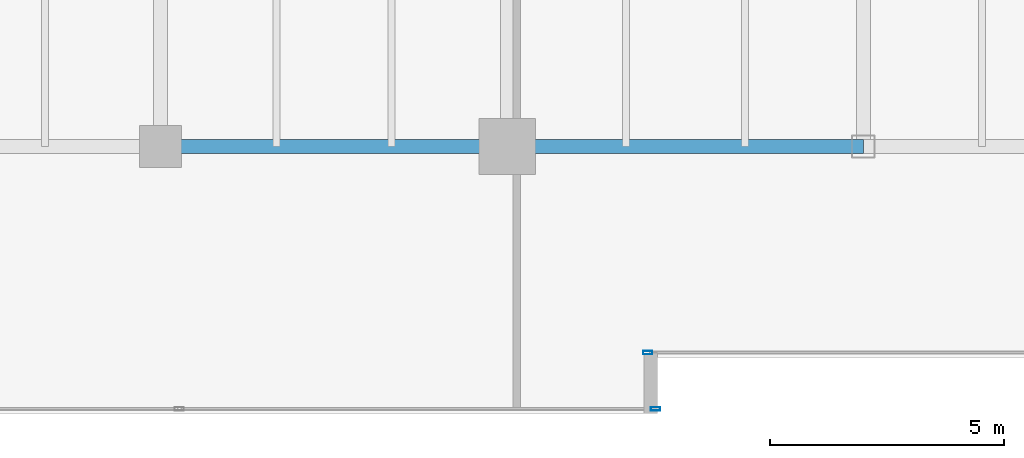
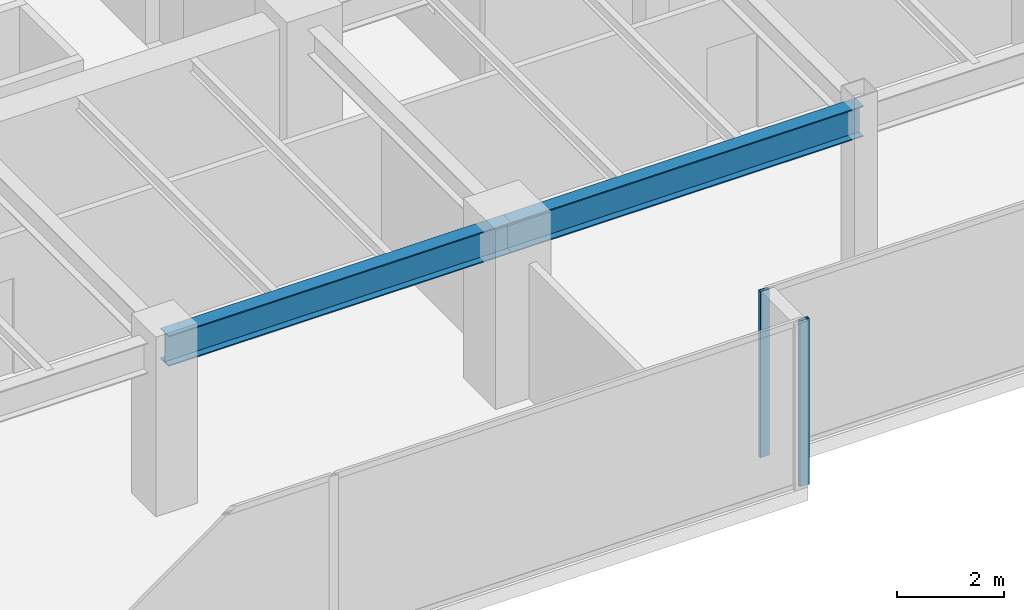
# One storey, part 4 of 31: 2 beams, 2 members, 2 elements without a shape of their own.
"""IFC4 building model written with IfcOpenShell, lengths in metres."""

import ifcopenshell
import ifcopenshell.guid

model = None  # the IFC model being written
_history = None  # IfcOwnerHistory: only IFC2X3 demands one
_inside = {}  # id of a spatial element -> (the spatial element, [elements in it])
_under = {}  # id of a project, library or spatial element -> (it, [spatial elements below it])
_declared = {}  # id of a project -> (the project, [libraries it declares])
_typed = {}  # id of a type object -> (the type object, [elements of that type])
_made_of = {}  # id of a material, layer set ... -> (it, [elements and type objects made of it])


def new_model(schema):
    """Start an empty IFC model of exactly this schema.

    Asked for "IFC4X3", IfcOpenShell would pick the latest addendum, in which some entities
    have other attributes; the version numbers below select the first issue.
    IFC2X3 requires an IfcOwnerHistory on every rooted entity: one is made here for all.
    """
    global model, _history
    if schema == "IFC4X3":
        model = ifcopenshell.file(schema_version=(4, 3, 0, 0))
    else:
        model = ifcopenshell.file(schema=schema)
    _inside.clear()
    _under.clear()
    _declared.clear()
    _typed.clear()
    _made_of.clear()
    _history = None
    if model.schema == "IFC2X3":
        org = make("IfcOrganization", Name="unknown")
        user = make(
            "IfcPersonAndOrganization",
            ThePerson=make("IfcPerson", FamilyName="unknown"),
            TheOrganization=org,
        )
        app = make(
            "IfcApplication",
            ApplicationDeveloper=org,
            Version="unknown",
            ApplicationFullName="unknown",
            ApplicationIdentifier="unknown",
        )
        _history = make(
            "IfcOwnerHistory",
            OwningUser=user,
            OwningApplication=app,
            ChangeAction="ADDED",
            CreationDate=0,
        )
    return model


def make(cls, **values):
    """One entity of the class cls with the attributes given. An attribute that is None is left unset."""
    return model.create_entity(
        cls, **{name: value for name, value in values.items() if value is not None}
    )


def rooted(cls, **values):
    """An entity with a GlobalId (a new one), such as an element, a storey or a relation."""
    return make(cls, GlobalId=ifcopenshell.guid.new(), OwnerHistory=_history, **values)


def si_unit(unit_type, name, prefix=None):
    """IfcSIUnit, for example si_unit("LENGTHUNIT", "METRE", prefix="MILLI")."""
    return make("IfcSIUnit", UnitType=unit_type, Prefix=prefix, Name=name)


def assignment(units):
    """IfcUnitAssignment: the units of a project."""
    return None if units is None else make("IfcUnitAssignment", Units=units)


def point(xyz):
    """IfcCartesianPoint."""
    return None if xyz is None else make("IfcCartesianPoint", Coordinates=xyz)


def direction(xyz):
    """IfcDirection."""
    return None if xyz is None else make("IfcDirection", DirectionRatios=xyz)


def frame(location, z_axis=None, x_axis=None):
    """IfcAxis2Placement3D, a coordinate frame: its origin and axes. An axis left out is left unset."""
    return make(
        "IfcAxis2Placement3D",
        Location=point(location),
        Axis=direction(z_axis),
        RefDirection=direction(x_axis),
    )


def frame_2d(location, x_axis=None):
    """IfcAxis2Placement2D, a coordinate frame in the plane: its origin and x axis."""
    return make(
        "IfcAxis2Placement2D", Location=point(location), RefDirection=direction(x_axis)
    )


def origin():
    """The frame at (0, 0, 0) with its axes left unset."""
    return frame((0.0, 0.0, 0.0))


def origin_2d():
    """The frame at (0, 0) in the plane with its x axis left unset."""
    return frame_2d((0.0, 0.0))


def place(relative_to, where):
    """IfcLocalPlacement: puts the frame where relative to a parent placement (None: the world)."""
    return make(
        "IfcLocalPlacement", PlacementRelTo=relative_to, RelativePlacement=where
    )


def context(
    kind, dimensions, precision=None, world=None, true_north=None, identifier=None
):
    """IfcGeometricRepresentationContext, for example the 3D "Model" context."""
    return make(
        "IfcGeometricRepresentationContext",
        ContextIdentifier=identifier,
        ContextType=kind,
        CoordinateSpaceDimension=dimensions,
        Precision=precision,
        WorldCoordinateSystem=world,
        TrueNorth=true_north,
    )


def subcontext(parent, identifier, kind, view, scale=None):
    """IfcGeometricRepresentationSubContext, for example "Body" below "Model"."""
    return make(
        "IfcGeometricRepresentationSubContext",
        ContextIdentifier=identifier,
        ContextType=kind,
        ParentContext=parent,
        TargetScale=scale,
        TargetView=view,
    )


def project(units=None, contexts=None):
    """IfcProject with its units and contexts."""
    return rooted(
        "IfcProject",
        Name="project",
        RepresentationContexts=contexts,
        UnitsInContext=assignment(units),
    )


def spatial(cls, under=None, at=None, **own):
    """A site, building, storey or space (cls), placed at a placement, below another one or the project."""
    s = rooted(cls, ObjectPlacement=at, **own)
    if under is not None:
        _under.setdefault(under.id(), (under, []))[1].append(s)
    return s


def profile(cls, at=None, kind="AREA", **sizes):
    """A parametric profile (cls). Its sizes go by their IFC names, for example OverallWidth=200.0."""
    return make(cls, ProfileType=kind, Position=at, **sizes)


def hollow_rectangle(**sizes):
    """IfcRectangleHollowProfileDef."""
    return profile("IfcRectangleHollowProfileDef", **sizes)


def i_section(**sizes):
    """IfcIShapeProfileDef."""
    return profile("IfcIShapeProfileDef", **sizes)


def extrude(swept, where, along, depth):
    """IfcExtrudedAreaSolid: the profile swept, set in the frame where, extruded along a direction by depth."""
    return make(
        "IfcExtrudedAreaSolid",
        SweptArea=swept,
        Position=where,
        ExtrudedDirection=direction(along),
        Depth=depth,
    )


def shape(context_of_items, identifier, shape_type, items):
    """IfcShapeRepresentation: the items that make up one representation, for example the "Body"."""
    return make(
        "IfcShapeRepresentation",
        ContextOfItems=context_of_items,
        RepresentationIdentifier=identifier,
        RepresentationType=shape_type,
        Items=items,
    )


def source(mapping_origin, context_of_items, identifier, shape_type, items):
    """IfcRepresentationMap: a shape defined once, which mapped items show again and again."""
    return make(
        "IfcRepresentationMap",
        MappingOrigin=mapping_origin,
        MappedRepresentation=shape(context_of_items, identifier, shape_type, items),
    )


def transform(
    local_origin,
    x_axis=None,
    y_axis=None,
    z_axis=None,
    scale=None,
    scale2=None,
    scale3=None,
    uniform=True,
):
    """IfcCartesianTransformationOperator3D, or its non-uniform kind. x_axis, y_axis, z_axis: its Axis1, 2, 3."""
    if uniform:
        return make(
            "IfcCartesianTransformationOperator3D",
            Axis1=direction(x_axis),
            Axis2=direction(y_axis),
            LocalOrigin=point(local_origin),
            Scale=scale,
            Axis3=direction(z_axis),
        )
    return make(
        "IfcCartesianTransformationOperator3DnonUniform",
        Axis1=direction(x_axis),
        Axis2=direction(y_axis),
        LocalOrigin=point(local_origin),
        Scale=scale,
        Axis3=direction(z_axis),
        Scale2=scale2,
        Scale3=scale3,
    )


def mapped(mapping_source, mapping_target):
    """IfcMappedItem: shows the shape of a source again, moved by a transform."""
    return make(
        "IfcMappedItem", MappingSource=mapping_source, MappingTarget=mapping_target
    )


def material(Name=None, Category=None):
    """IfcMaterial."""
    return make("IfcMaterial", Name=Name, Category=Category)


def layer(
    of_material, thickness, ventilated=None, Name=None, Category=None, Priority=None
):
    """IfcMaterialLayer: one layer of a wall or slab, of a material (None: an air gap)."""
    return make(
        "IfcMaterialLayer",
        Material=of_material,
        LayerThickness=thickness,
        IsVentilated=ventilated,
        Name=Name,
        Category=Category,
        Priority=Priority,
    )


def layer_set(layers, Name=None):
    """IfcMaterialLayerSet."""
    return make("IfcMaterialLayerSet", MaterialLayers=layers, LayerSetName=Name)


def material_profile(
    of_material, cross_section, Name=None, Category=None, Priority=None
):
    """IfcMaterialProfile: a cross section and its material."""
    return make(
        "IfcMaterialProfile",
        Name=Name,
        Material=of_material,
        Profile=cross_section,
        Priority=Priority,
        Category=Category,
    )


def profile_set(profiles, Name=None, composite=None):
    """IfcMaterialProfileSet."""
    return make(
        "IfcMaterialProfileSet",
        Name=Name,
        MaterialProfiles=profiles,
        CompositeProfile=composite,
    )


def made_of(thing, what):
    """Note that an element or type object is made of a material, layer set ...; save() writes the relation."""
    if what is not None:
        _made_of.setdefault(what.id(), (what, []))[1].append(thing)
    return thing


def type_object(cls, material=None, **own):
    """A type object (cls), such as IfcWallType, which elements share."""
    return made_of(rooted(cls, **own), material)


def type_shapes(of_type, sources):
    """Give a type object the sources (RepresentationMaps) that its elements show as mapped items."""
    of_type.RepresentationMaps = sources


def element(
    cls,
    number,
    at=None,
    inside=None,
    cuts=None,
    type_object=None,
    material=None,
    context=None,
    identifier="Body",
    shape_type=None,
    held_by="IfcProductDefinitionShape",
    body=None,
    shapes=None,
    **own,
):
    """One element of the class cls, such as IfcWall. Its Tag is "e" and its number.

    at: its placement. inside: the storey or other place that contains it. cuts: it is an
    opening in that element (IfcRelVoidsElement). A single representation is given by context,
    identifier, shape_type and body (its items); several are given by shapes. held_by: the class
    of the entity that holds the representations. save() writes the other relations.
    """
    e = rooted(cls, Tag="e%d" % number, ObjectPlacement=at, **own)
    if body is not None:
        shapes = [shape(context, identifier, shape_type, body)]
    if shapes is not None:
        e.Representation = make(held_by, Representations=shapes)
    if inside is not None:
        _inside.setdefault(inside.id(), (inside, []))[1].append(e)
    if cuts is not None:
        rooted(
            "IfcRelVoidsElement", RelatingBuildingElement=cuts, RelatedOpeningElement=e
        )
    if type_object is not None:
        _typed.setdefault(type_object.id(), (type_object, []))[1].append(e)
    return made_of(e, material)


def aggregate(whole, parts):
    """IfcRelAggregates: a whole, such as a stair, and the parts it consists of."""
    return rooted("IfcRelAggregates", RelatingObject=whole, RelatedObjects=parts)


def save(model, path):
    """Write the relations noted so far, then the file.

    IfcRelAggregates (storeys below a building ...), IfcRelContainedInSpatialStructure (elements
    in a storey), IfcRelDefinesByType, IfcRelAssociatesMaterial and IfcRelDeclares: one each for
    every whole, place, type object, material and project.
    """
    for whole, parts in _under.values():
        aggregate(whole, parts)
    for where, things in _inside.values():
        rooted(
            "IfcRelContainedInSpatialStructure",
            RelatedElements=things,
            RelatingStructure=where,
        )
    for kind, things in _typed.values():
        rooted("IfcRelDefinesByType", RelatedObjects=things, RelatingType=kind)
    for what, things in _made_of.values():
        rooted("IfcRelAssociatesMaterial", RelatedObjects=things, RelatingMaterial=what)
    for by, libraries in _declared.values():
        rooted("IfcRelDeclares", RelatingContext=by, RelatedDefinitions=libraries)
    model.write(path)


model = new_model("IFC4")

# Units and contexts
model_context = context("Model", 3, precision=1e-05, world=origin(), true_north=direction((0.0, 1.0)))
body_context = subcontext(model_context, "Body", "Model", "MODEL_VIEW")
ifc_project = project(units=[si_unit("LENGTHUNIT", "METRE"), si_unit("AREAUNIT", "SQUARE_METRE"), si_unit("VOLUMEUNIT", "CUBIC_METRE"), si_unit("PLANEANGLEUNIT", "RADIAN"), si_unit("MASSUNIT", "GRAM", prefix="KILO")], contexts=[model_context])

# Site, building, storey
site_placement = place(None, origin())
site = spatial("IfcSite", under=ifc_project, at=site_placement, CompositionType="ELEMENT")
building_placement = place(site_placement, origin())
building = spatial("IfcBuilding", under=site, at=building_placement, Name="Haelvirn Gate Laboratories", CompositionType="ELEMENT")
storey_placement = place(building_placement, frame((0.0, 0.0, 174.800048828125)))
storey = spatial("IfcBuildingStorey", under=building, at=storey_placement, Name="L42", CompositionType="ELEMENT", Elevation=174.800048828125)

# Beams
ifc_material_1 = material(Name="Steel SM355", Category="steel")
ifc_material_profile_1 = material_profile(ifc_material_1, i_section(OverallWidth=0.300048828125, OverallDepth=0.699951171875, WebThickness=0.012939453125, FlangeThickness=0.02392578125, at=origin_2d()), Name="H-700x300x13x24")
ifc_profile_set_1 = profile_set([ifc_material_profile_1], Name="Steel SM355")
beam_type = type_object("IfcBeamType", Name="BM-G-700", PredefinedType="BEAM", material=ifc_profile_set_1)
shared_shape_1 = source(origin(), body_context, "Body", "SweptSolid", [
    extrude(i_section(OverallWidth=0.300048828125, OverallDepth=0.699951171875, WebThickness=0.012939453125, FlangeThickness=0.02392578125, at=origin_2d()), origin(), (0.0, 0.0, 1.0), 7.39990234375),
])
beam_1_placement = place(storey_placement, frame((14.800048828125, 7.0, 3.43994140625), z_axis=(1.0, 0.0, 0.0), x_axis=(0.0, 1.0, 0.0)))
element("IfcBeam", 1, at=beam_1_placement, inside=storey, type_object=beam_type, Name="L42 Primary Girder Y7.0 (14.8-22.2)", PredefinedType="BEAM", context=body_context, shape_type="MappedRepresentation", body=[
    mapped(shared_shape_1, transform((0.0, 0.0, 0.0), scale=1.0)),
])
shared_shape_2 = source(origin(), body_context, "Body", "SweptSolid", [
    extrude(i_section(OverallWidth=0.300048828125, OverallDepth=0.699951171875, WebThickness=0.012939453125, FlangeThickness=0.02392578125, at=origin_2d()), origin(), (0.0, 0.0, 1.0), 7.60009765625),
])
type_shapes(beam_type, [shared_shape_1, shared_shape_2])
beam_2_placement = place(storey_placement, frame((22.199951171875, 7.0, 3.43994140625), z_axis=(1.0, 0.0, 0.0), x_axis=(0.0, 1.0, 0.0)))
element("IfcBeam", 2, at=beam_2_placement, inside=storey, type_object=beam_type, Name="L42 Primary Girder Y7.0 (22.2-29.8)", PredefinedType="BEAM", context=body_context, shape_type="MappedRepresentation", body=[
    mapped(shared_shape_2, transform((0.0, 0.0, 0.0), scale=1.0)),
])

# Curtain wall, member
ifc_material_2 = material(Name="Anodised bronze unitised aluminium & triple low-E glass", Category="aluminium")
ifc_layer = layer(ifc_material_2, 0.179931640625, Name="CW-SYS-3")
ifc_layer_set = layer_set([ifc_layer], Name="Anodised bronze unitised aluminium & triple low-E glass")
curtain_wall_type = type_object("IfcCurtainWallType", Name="CW-SYS-3", PredefinedType="NOTDEFINED", material=ifc_layer_set)
curtain_wall_1_placement = place(storey_placement, origin())
curtain_wall_1 = element("IfcCurtainWall", 3, at=curtain_wall_1_placement, inside=storey, type_object=curtain_wall_type, Name="L42 Unitised Curtain Wall CW-L42-P0-E00-1", PredefinedType="NOTDEFINED")
ifc_material_3 = material(Name="Extruded aluminium 6063-T6 (anodised bronze)", Category="aluminium")
ifc_material_profile_2 = material_profile(ifc_material_3, hollow_rectangle(XDim=0.074951171875, YDim=0.199951171875, WallThickness=0.0048828125, at=origin_2d()), Name="CWM-200x75x5")
ifc_profile_set_2 = profile_set([ifc_material_profile_2], Name="Extruded aluminium 6063-T6 (anodised bronze)")
member_type = type_object("IfcMemberType", Name="CWM-T200", PredefinedType="MULLION", material=ifc_profile_set_2)
shared_shape_3 = source(origin(), body_context, "Body", "SweptSolid", [
    extrude(hollow_rectangle(XDim=0.074951171875, YDim=0.199951171875, WallThickness=0.0048828125, at=origin_2d()), origin(), (0.0, 0.0, 1.0), 3.7900390625),
])
type_shapes(member_type, [shared_shape_3])
member_1_placement = place(storey_placement, frame((25.362548828125, 1.39990234375, 0.0), z_axis=(0.0, 0.0, 1.0), x_axis=(0.0, 1.0, 0.0)))
member_1 = element("IfcMember", 4, at=member_1_placement, type_object=member_type, Name="CW3 mullion 3", PredefinedType="MULLION", context=body_context, shape_type="MappedRepresentation", body=[
    mapped(shared_shape_3, transform((0.0, 0.0, 0.0), scale=1.0)),
])
aggregate(curtain_wall_1, [member_1])

curtain_wall_2_placement = place(storey_placement, origin())
curtain_wall_2 = element("IfcCurtainWall", 5, at=curtain_wall_2_placement, inside=storey, type_object=curtain_wall_type, Name="L42 Unitised Curtain Wall CW-L42-P0-E02-1", PredefinedType="NOTDEFINED")
member_2_placement = place(storey_placement, frame((25.197509765625, 2.60009765625, 0.0), z_axis=(0.0, 0.0, 1.0), x_axis=(0.0, 1.0, 0.0)))
member_2 = element("IfcMember", 6, at=member_2_placement, type_object=member_type, Name="CW3 mullion 1", PredefinedType="MULLION", context=body_context, shape_type="MappedRepresentation", body=[
    mapped(shared_shape_3, transform((0.0, 0.0, 0.0), scale=1.0)),
])
aggregate(curtain_wall_2, [member_2])

save(model, "model.ifc")
